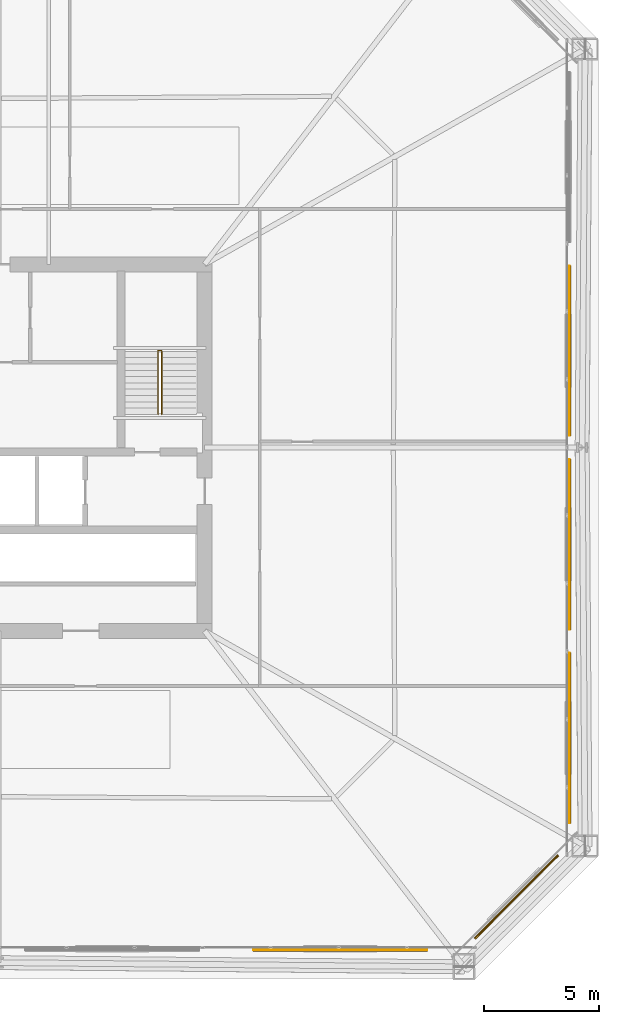
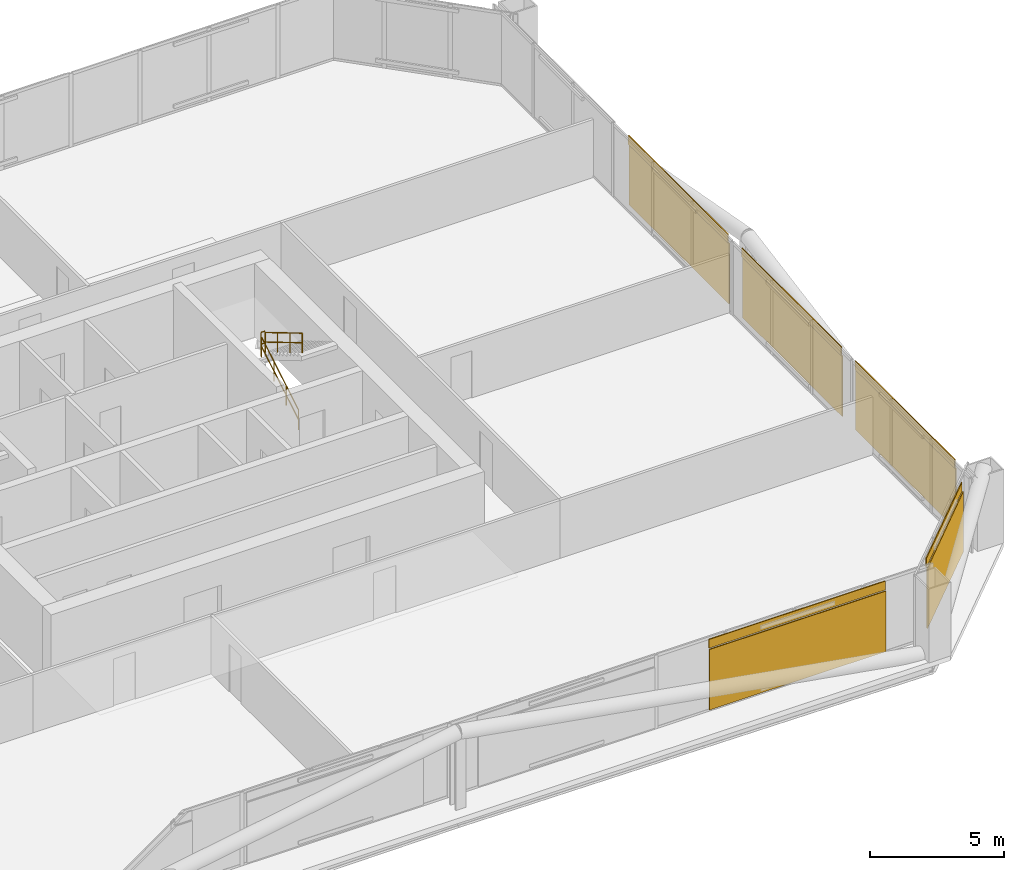
# One storey, part 49 of 50: 5 coverings, 5 shading devices, 3 railings.
"""IFC4 building model written with IfcOpenShell, lengths in metres."""

from ifc_helpers import new_model, si_unit, direction, frame, origin, origin_2d, place, context, subcontext, project, spatial, rectangle, circle, extrude, material, layer, layer_set, type_object, element, save


model = new_model("IFC4")

# Units and contexts
model_context = context("Model", 3, precision=1e-05, world=origin(), true_north=direction((0.0, 1.0)))
body_context = subcontext(model_context, "Body", "Model", "MODEL_VIEW")
ifc_project = project(units=[si_unit("LENGTHUNIT", "METRE"), si_unit("AREAUNIT", "SQUARE_METRE"), si_unit("VOLUMEUNIT", "CUBIC_METRE"), si_unit("PLANEANGLEUNIT", "RADIAN"), si_unit("MASSUNIT", "GRAM", prefix="KILO")], contexts=[model_context])

# Site, building, storey
site_placement = place(None, origin())
site = spatial("IfcSite", under=ifc_project, at=site_placement, CompositionType="ELEMENT")
building_placement = place(site_placement, origin())
building = spatial("IfcBuilding", under=site, at=building_placement, Name="Caelvoria Tower", CompositionType="ELEMENT")
storey_placement = place(building_placement, frame((0.0, 0.0, 71.199951171875)))
storey = spatial("IfcBuildingStorey", under=building, at=storey_placement, Name="L18", CompositionType="ELEMENT", Elevation=71.199951171875)

# Coverings
ifc_material_1 = material(Name="Perforated Architectural Bronze Cladding Screen", Category="bronze")
ifc_layer_1 = layer(ifc_material_1, 0.0400390625, Name="Perforated Architectural Bronze Cladding Screen")
ifc_layer_set_1 = layer_set([ifc_layer_1], Name="Perforated Bronze Louvre Cladding Band 40 - Perforated Architectural Bronze Cladding Screen")
covering_type = type_object("IfcCoveringType", Name="Perforated Bronze Louvre Cladding Band 40", PredefinedType="CLADDING", material=ifc_layer_set_1)
covering_1_placement = place(storey_placement, frame((60.925048828125, 10.077880859375, 2.940185546875), z_axis=(0.0, 0.0, 1.0), x_axis=(1.0, 0.0, 0.0)))
element("IfcCovering", 1, at=covering_1_placement, inside=storey, type_object=covering_type, Name="Perforated Bronze Screen Band L18-E0-03", PredefinedType="CLADDING", context=body_context, shape_type="SweptSolid", body=[
    extrude(rectangle(XDim=7.60009765625, YDim=0.0400390625, at=origin_2d()), origin(), (0.0, 0.0, 1.0), 0.39990234375),
])
covering_2_placement = place(storey_placement, frame((68.59619140625, 12.40380859375, 2.940185546875), z_axis=(0.0, 0.0, 1.0), x_axis=(0.707106781187, 0.707106781187, 0.0)))
element("IfcCovering", 2, at=covering_2_placement, inside=storey, type_object=covering_type, Name="Perforated Bronze Screen Band L18-E1-00", PredefinedType="CLADDING", context=body_context, shape_type="SweptSolid", body=[
    extrude(rectangle(XDim=5.13623046875, YDim=0.0400390625, at=origin_2d()), origin(), (0.0, 0.0, 1.0), 0.39990234375),
])
for number, where, z_axis, x_axis, name in (
    (3, (70.922119140625, 19.324951171875, 2.940185546875), (0.0, 0.0, 1.0), (0.0, 1.0, 0.0), "Perforated Bronze Screen Band L18-E2-00"),
    (4, (70.922119140625, 27.77490234375, 2.940185546875), (0.0, 0.0, 1.0), (0.0, 1.0, 0.0), "Perforated Bronze Screen Band L18-E2-01"),
    (5, (70.922119140625, 36.22509765625, 2.940185546875), (0.0, 0.0, 1.0), (0.0, 1.0, 0.0), "Perforated Bronze Screen Band L18-E2-02"),
):
    element("IfcCovering", number, at=place(storey_placement, frame(where, z_axis=z_axis, x_axis=x_axis)), inside=storey, type_object=covering_type, Name=name, PredefinedType="CLADDING", context=body_context, shape_type="SweptSolid", body=[
        extrude(rectangle(XDim=7.43603515625, YDim=0.0400390625, at=origin_2d()), origin(), (0.0, 0.0, 1.0), 0.39990234375),
    ])

# Shading devices
ifc_material_2 = material(Name="Perforated Architectural Bronze Alloy Panel", Category="bronze")
ifc_layer_2 = layer(ifc_material_2, 0.044921875, Name="Perforated Architectural Bronze Alloy Panel")
ifc_layer_set_2 = layer_set([ifc_layer_2], Name="Perforated Bronze Solar Screen Panel SCREEN - Perforated Architectural Bronze Alloy Panel")
shading_device_type = type_object("IfcShadingDeviceType", Name="Perforated Bronze Solar Screen Panel SCREEN", PredefinedType="USERDEFINED", material=ifc_layer_set_2)
shading_device_1_placement = place(storey_placement, frame((60.925048828125, 10.034912109375, 0.16015625), z_axis=(0.0, 0.0, 1.0), x_axis=(1.0, 0.0, 0.0)))
element("IfcShadingDevice", 6, at=shading_device_1_placement, inside=storey, type_object=shading_device_type, Name="Perforated Bronze Solar Screen L18-E0-03", ObjectType="SCREEN", PredefinedType="USERDEFINED", context=body_context, shape_type="SweptSolid", body=[
    extrude(rectangle(XDim=7.60009765625, YDim=0.044921875, at=origin_2d()), origin(), (0.0, 0.0, 1.0), 2.75),
])
shading_device_2_placement = place(storey_placement, frame((68.626708984375, 12.373291015625, 0.16015625), z_axis=(0.0, 0.0, 1.0), x_axis=(0.707106781187, 0.707106781187, 0.0)))
element("IfcShadingDevice", 7, at=shading_device_2_placement, inside=storey, type_object=shading_device_type, Name="Perforated Bronze Solar Screen L18-E1-00", ObjectType="SCREEN", PredefinedType="USERDEFINED", context=body_context, shape_type="SweptSolid", body=[
    extrude(rectangle(XDim=5.13623046875, YDim=0.044921875, at=origin_2d()), origin(), (0.0, 0.0, 1.0), 2.75),
])
for number, where, z_axis, x_axis, name in (
    (8, (70.965087890625, 19.324951171875, 0.16015625), (0.0, 0.0, 1.0), (0.0, 1.0, 0.0), "Perforated Bronze Solar Screen L18-E2-00"),
    (9, (70.965087890625, 27.77490234375, 0.16015625), (0.0, 0.0, 1.0), (0.0, 1.0, 0.0), "Perforated Bronze Solar Screen L18-E2-01"),
    (10, (70.965087890625, 36.22509765625, 0.16015625), (0.0, 0.0, 1.0), (0.0, 1.0, 0.0), "Perforated Bronze Solar Screen L18-E2-02"),
):
    element("IfcShadingDevice", number, at=place(storey_placement, frame(where, z_axis=z_axis, x_axis=x_axis)), inside=storey, type_object=shading_device_type, Name=name, ObjectType="SCREEN", PredefinedType="USERDEFINED", context=body_context, shape_type="SweptSolid", body=[
        extrude(rectangle(XDim=7.43603515625, YDim=0.044921875, at=origin_2d()), origin(), (0.0, 0.0, 1.0), 2.75),
    ])

# Railings
ifc_material_3 = material(Name="Brushed Stainless Steel Tube", Category="steel")
railing_type_1 = type_object("IfcRailingType", Name="Stair Tubular Stainless Handrail 920", PredefinedType="HANDRAIL", material=ifc_material_3)
railing_1_placement = place(storey_placement, frame((52.969970703125, 33.449951171875, 0.16357421875)))
element("IfcRailing", 11, at=railing_1_placement, inside=storey, type_object=railing_type_1, Name="ST-02 Flight 1 Handrail L18", PredefinedType="HANDRAIL", context=body_context, shape_type="SweptSolid", body=[
    extrude(circle(Radius=0.02392578125, at=origin_2d()), frame((0.0, 0.0, 0.89599609375), z_axis=(0.0, 0.859351957796, 0.511384603436), x_axis=(-1.0, 0.0, 0.0)), (0.0, 0.0, 1.0), 3.2001953125),
    extrude(circle(Radius=0.02392578125, at=origin_2d()), frame((0.0, 0.0, 0.4599609375), z_axis=(0.0, 0.859351957796, 0.511384603436), x_axis=(-1.0, 0.0, 0.0)), (0.0, 0.0, 1.0), 3.2001953125),
    extrude(circle(Radius=0.02099609375, at=origin_2d()), origin(), (0.0, 0.0, 1.0), 0.871826171875),
    extrude(circle(Radius=0.02099609375, at=origin_2d()), frame((0.0, 0.916748046875, 0.54541015625)), (0.0, 0.0, 1.0), 0.871826171875),
    extrude(circle(Radius=0.02099609375, at=origin_2d()), frame((0.0, 1.833251953125, 1.091064453125)), (0.0, 0.0, 1.0), 0.871826171875),
    extrude(circle(Radius=0.02099609375, at=origin_2d()), frame((0.0, 2.75, 1.636474609375)), (0.0, 0.0, 1.0), 0.871826171875),
])
railing_2_placement = place(storey_placement, frame((53.1298828125, 36.199951171875, 1.963623046875)))
element("IfcRailing", 12, at=railing_2_placement, inside=storey, type_object=railing_type_1, Name="ST-02 Flight 2 Handrail L18", PredefinedType="HANDRAIL", context=body_context, shape_type="SweptSolid", body=[
    extrude(circle(Radius=0.02392578125, at=origin_2d()), frame((0.0, 0.0, 0.89599609375), z_axis=(0.0, -0.859351957796, 0.511384603436), x_axis=(1.0, 0.0, 0.0)), (0.0, 0.0, 1.0), 3.2001953125),
    extrude(circle(Radius=0.02392578125, at=origin_2d()), frame((0.0, 0.0, 0.4599609375), z_axis=(0.0, -0.859351957796, 0.511384603436), x_axis=(1.0, 0.0, 0.0)), (0.0, 0.0, 1.0), 3.2001953125),
    extrude(circle(Radius=0.02099609375, at=origin_2d()), origin(), (0.0, 0.0, 1.0), 0.871826171875),
    extrude(circle(Radius=0.02099609375, at=origin_2d()), frame((0.0, -0.916748046875, 0.54541015625)), (0.0, 0.0, 1.0), 0.871826171875),
    extrude(circle(Radius=0.02099609375, at=origin_2d()), frame((0.0, -1.833251953125, 1.091064453125)), (0.0, 0.0, 1.0), 0.871826171875),
    extrude(circle(Radius=0.02099609375, at=origin_2d()), frame((0.0, -2.75, 1.636474609375)), (0.0, 0.0, 1.0), 0.871826171875),
])
ifc_material_4 = material(Name="Brushed Stainless Steel Guardrail", Category="steel")
railing_type_2 = type_object("IfcRailingType", Name="Stair Well and Ramp Guardrail 1120", PredefinedType="GUARDRAIL", material=ifc_material_4)
railing_3_placement = place(storey_placement, frame((52.969970703125, 36.239990234375, 1.800048828125)))
element("IfcRailing", 13, at=railing_3_placement, inside=storey, type_object=railing_type_2, Name="ST-02 Half-Landing Well Guard L18", PredefinedType="GUARDRAIL", context=body_context, shape_type="SweptSolid", body=[
    extrude(circle(Radius=0.02392578125, at=origin_2d()), frame((0.0, 0.0, 1.09619140625), z_axis=(1.0, 0.0, 0.0), x_axis=(0.0, 1.0, 0.0)), (0.0, 0.0, 1.0), 0.159912109375),
    extrude(circle(Radius=0.02392578125, at=origin_2d()), frame((0.0, 0.0, 0.56005859375), z_axis=(1.0, 0.0, 0.0), x_axis=(0.0, 1.0, 0.0)), (0.0, 0.0, 1.0), 0.159912109375),
    extrude(circle(Radius=0.02099609375, at=origin_2d()), origin(), (0.0, 0.0, 1.0), 1.072021484375),
    extrude(circle(Radius=0.02099609375, at=origin_2d()), frame((0.159912109375, 0.0, 0.0)), (0.0, 0.0, 1.0), 1.072021484375),
])

save(model, "model.ifc")
